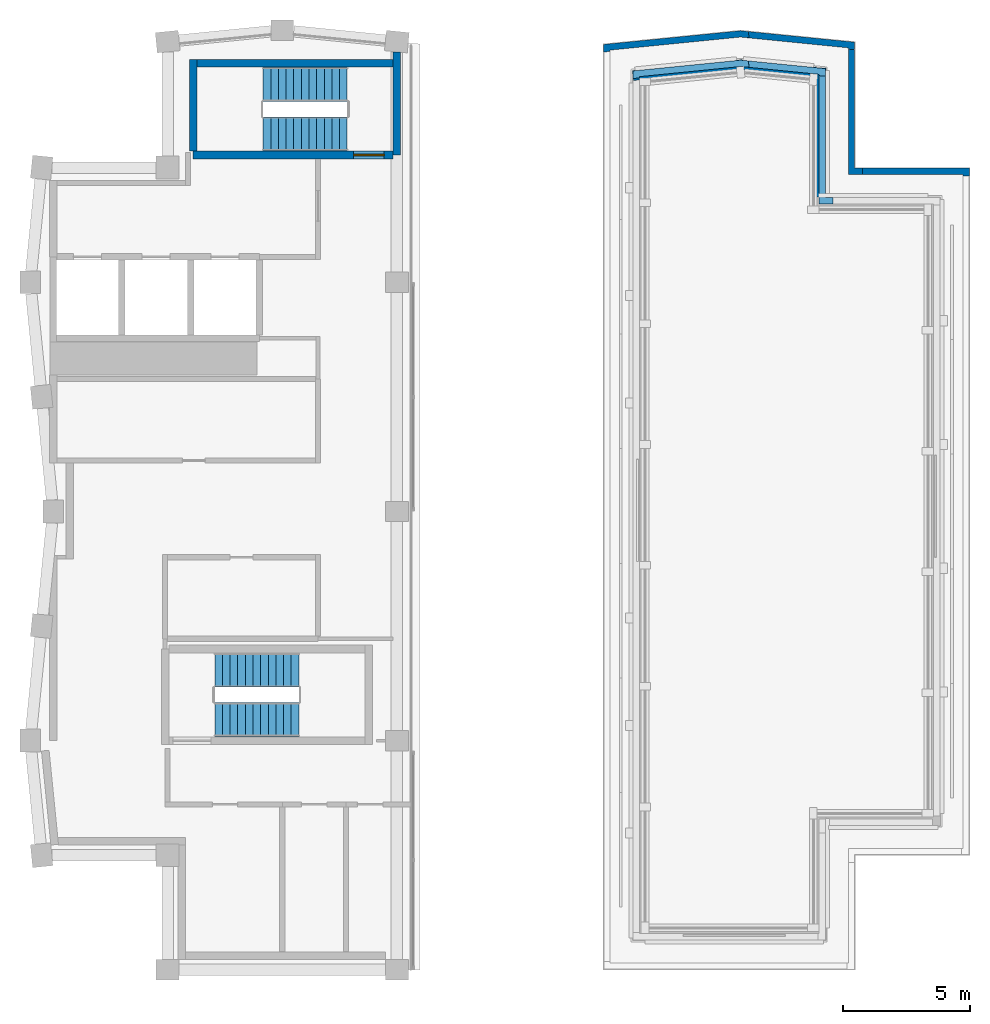
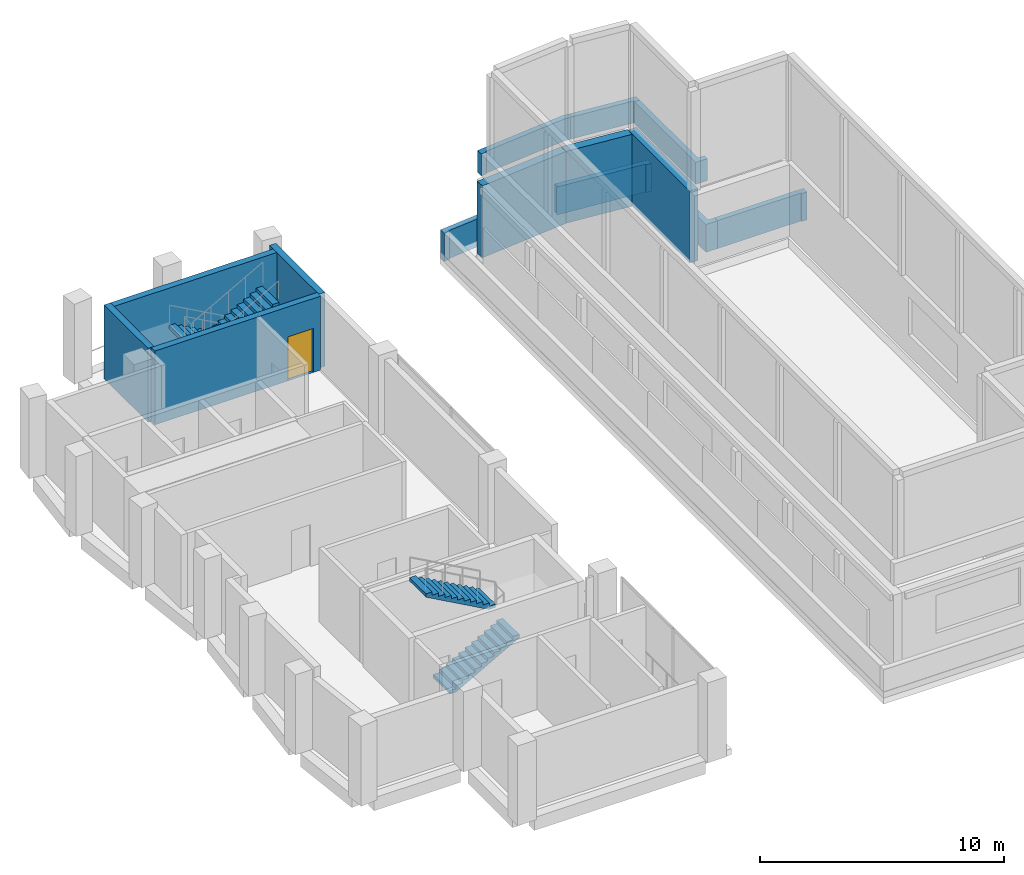
# One storey, part 6 of 8: 14 walls, 4 stair flights, 1 door, 1 opening, 2 elements without a shape of their own.
"""IFC4 building model written with IfcOpenShell, lengths in metres."""

from ifc_helpers import new_model, si_unit, direction, frame, frame_2d, origin, place, context, subcontext, project, spatial, polyline, rectangle, outline, extrude, material, layer, layer_set, type_object, element, fill, aggregate, save


model = new_model("IFC4")

# Units and contexts
model_context = context("Model", 3, precision=1e-05, world=origin(), true_north=direction((0.0, 1.0)))
body_context = subcontext(model_context, "Body", "Model", "MODEL_VIEW")
ifc_project = project(units=[si_unit("LENGTHUNIT", "METRE"), si_unit("AREAUNIT", "SQUARE_METRE"), si_unit("VOLUMEUNIT", "CUBIC_METRE"), si_unit("PLANEANGLEUNIT", "RADIAN"), si_unit("MASSUNIT", "GRAM", prefix="KILO")], contexts=[model_context])

# Site, building, storey
site_placement = place(None, origin())
site = spatial("IfcSite", under=ifc_project, at=site_placement, CompositionType="ELEMENT")
building_placement = place(site_placement, origin())
building = spatial("IfcBuilding", under=site, at=building_placement, Name="Brondeck Convention Tower", CompositionType="ELEMENT")
storey_placement = place(building_placement, frame((0.0, 0.0, 298.800048828125)))
storey = spatial("IfcBuildingStorey", under=building, at=storey_placement, Name="L74", CompositionType="ELEMENT", Elevation=298.800048828125)

# Walls
ifc_material_1 = material(Name="Precast concrete C50/60 bronze finish", Category="concrete")
ifc_layer_1 = layer(ifc_material_1, 0.39990234375)
ifc_layer_set_1 = layer_set([ifc_layer_1], Name="Crown tier wall, precast concrete C50/60")
wall_type_1 = type_object("IfcWallType", Name="Crown tier wall, precast concrete C50/60", PredefinedType="SOLIDWALL", material=ifc_layer_set_1)
wall_1_placement = place(storey_placement, frame((30.14990234375, 62.4091796875, 0.449951171875), z_axis=(0.0, 0.0, 1.0), x_axis=(0.0, -1.0, 0.0)))
element("IfcWall", 1, at=wall_1_placement, inside=storey, type_object=wall_type_1, Name="ENV-CT-K2-T1-W06", PredefinedType="SOLIDWALL", context=body_context, shape_type="SweptSolid", body=[
    extrude(rectangle(XDim=5.061279296875, YDim=0.39990234375, at=frame_2d((2.53076171875, 0.0))), origin(), (0.0, 0.0, 1.0), 3.60009765625),
])
wall_2_placement = place(storey_placement, frame((26.97998046875, 62.54541015625, 0.449951171875), z_axis=(0.0, 0.0, 1.0), x_axis=(0.99503313347, -0.099544278071, 0.0)))
element("IfcWall", 2, at=wall_2_placement, inside=storey, type_object=wall_type_1, Name="ENV-CT-K2-T1-W07", PredefinedType="SOLIDWALL", context=body_context, shape_type="SweptSolid", body=[
    extrude(rectangle(XDim=2.97998046875, YDim=0.39990234375, at=frame_2d((1.489990234375, 0.0))), origin(), (0.0, 0.0, 1.0), 3.60009765625),
])
wall_3_placement = place(storey_placement, frame((22.77001953125, 62.120361328125, 0.449951171875), z_axis=(0.0, 0.0, 1.0), x_axis=(0.995040061227, 0.099475004664, 0.0)))
element("IfcWall", 3, at=wall_3_placement, inside=storey, type_object=wall_type_1, Name="ENV-CT-K2-T1-W08", PredefinedType="SOLIDWALL", context=body_context, shape_type="SweptSolid", body=[
    extrude(rectangle(XDim=4.209228515625, YDim=0.39990234375, at=frame_2d((2.1044921875, 0.0))), origin(), (0.0, 0.0, 1.0), 3.60009765625),
])
ifc_material_2 = material(Name="Precast concrete C50/60", Category="concrete")
ifc_layer_2 = layer(ifc_material_2, 0.25)
ifc_layer_set_2 = layer_set([ifc_layer_2], Name="Roof parapet, precast concrete C50/60")
wall_type_2 = type_object("IfcWallType", Name="Roof parapet, precast concrete C50/60", PredefinedType="PARAPET", material=ifc_layer_set_2)
wall_4_placement = place(storey_placement, origin())
element("IfcWall", 4, at=wall_4_placement, inside=storey, type_object=wall_type_2, Name="ENV-ROOF-K2-PA-01", PredefinedType="PARAPET", context=body_context, shape_type="SweptSolid", body=[
    extrude(outline(polyline([(27.328369140625, 63.611083984375), (27.304443359375, 63.849365234375), (27.0, 63.8798828125), (21.6201171875, 63.341796875), (21.6201171875, 63.040283203125), (21.64990234375, 63.04345703125), (21.8701171875, 63.0654296875), (21.8701171875, 63.11572265625), (27.0, 63.628662109375), (27.251220703125, 63.603515625), (27.328369140625, 63.611083984375)])), origin(), (0.0, 0.0, 1.0), 1.39990234375),
])
wall_5_placement = place(storey_placement, origin())
element("IfcWall", 5, at=wall_5_placement, inside=storey, type_object=wall_type_2, Name="ENV-ROOF-K2-PA-02", PredefinedType="PARAPET", context=body_context, shape_type="SweptSolid", body=[
    extrude(outline(polyline([(31.22998046875, 63.205810546875), (31.22998046875, 63.155517578125), (31.47998046875, 63.13037109375), (31.47998046875, 63.431884765625), (27.3056640625, 63.849365234375), (27.329345703125, 63.611328125), (27.329345703125, 63.611083984375), (27.329345703125, 63.611083984375), (27.329345703125, 63.611083984375), (27.329345703125, 63.611083984375), (27.329345703125, 63.61083984375), (27.3291015625, 63.61083984375), (27.3291015625, 63.610595703125), (27.3291015625, 63.610595703125), (27.3291015625, 63.610595703125), (27.3291015625, 63.610595703125), (27.328857421875, 63.6103515625), (27.328857421875, 63.6103515625), (27.32861328125, 63.6103515625), (27.32861328125, 63.6103515625), (27.32861328125, 63.6103515625), (27.32861328125, 63.610107421875), (27.25634765625, 63.60302734375), (31.22998046875, 63.205810546875)])), origin(), (0.0, 0.0, 1.0), 1.39990234375),
])
wall_6_placement = place(storey_placement, origin())
element("IfcWall", 6, at=wall_6_placement, inside=storey, type_object=wall_type_2, Name="ENV-ROOF-K2-PA-03", PredefinedType="PARAPET", context=body_context, shape_type="SweptSolid", body=[
    extrude(outline(polyline([(31.22998046875, 58.22998046875), (31.780029296875, 58.22998046875), (31.780029296875, 58.47998046875), (31.47998046875, 58.47998046875), (31.47998046875, 63.12939453125), (31.47998046875, 63.12939453125), (31.47998046875, 63.12939453125), (31.22998046875, 63.154296875), (31.22998046875, 58.22998046875)])), origin(), (0.0, 0.0, 1.0), 1.39990234375),
])
wall_7_placement = place(storey_placement, origin())
element("IfcWall", 7, at=wall_7_placement, inside=storey, type_object=wall_type_2, Name="ENV-ROOF-K2-PA-04", PredefinedType="PARAPET", context=body_context, shape_type="SweptSolid", body=[
    extrude(outline(polyline([(35.72998046875, 58.22998046875), (35.72998046875, 58.179931640625), (35.97998046875, 58.179931640625), (35.97998046875, 58.47998046875), (31.781005859375, 58.47998046875), (31.781005859375, 58.22998046875), (35.72998046875, 58.22998046875)])), origin(), (0.0, 0.0, 1.0), 1.39990234375),
])
wall_8_placement = place(storey_placement, frame((0.0, 0.0, 4.5)))
element("IfcWall", 8, at=wall_8_placement, inside=storey, type_object=wall_type_2, Name="ENV-CT-K2-T1-PA01", PredefinedType="PARAPET", context=body_context, shape_type="SweptSolid", body=[
    extrude(outline(polyline([(27.328369140625, 62.45556640625), (27.304443359375, 62.693603515625), (27.0, 62.72412109375), (22.77001953125, 62.30126953125), (22.77001953125, 61.999755859375), (22.7998046875, 62.002685546875), (23.02001953125, 62.024658203125), (23.02001953125, 62.074951171875), (27.0, 62.472900390625), (27.251220703125, 62.44775390625), (27.328369140625, 62.45556640625)])), origin(), (0.0, 0.0, 1.0), 1.099853515625),
])
wall_9_placement = place(storey_placement, frame((0.0, 0.0, 4.5)))
element("IfcWall", 9, at=wall_9_placement, inside=storey, type_object=wall_type_2, Name="ENV-CT-K2-T1-PA02", PredefinedType="PARAPET", context=body_context, shape_type="SweptSolid", body=[
    extrude(outline(polyline([(30.080078125, 62.164794921875), (30.080078125, 62.11474609375), (30.330078125, 62.089599609375), (30.330078125, 62.39111328125), (27.3056640625, 62.693603515625), (27.329345703125, 62.45556640625), (27.329345703125, 62.45556640625), (27.329345703125, 62.455322265625), (27.329345703125, 62.455322265625), (27.329345703125, 62.455078125), (27.329345703125, 62.455078125), (27.3291015625, 62.455078125), (27.3291015625, 62.455078125), (27.3291015625, 62.454833984375), (27.3291015625, 62.454833984375), (27.3291015625, 62.45458984375), (27.328857421875, 62.45458984375), (27.328857421875, 62.45458984375), (27.32861328125, 62.45458984375), (27.32861328125, 62.45458984375), (27.32861328125, 62.45458984375), (27.32861328125, 62.45458984375), (27.25634765625, 62.447265625), (30.080078125, 62.164794921875)])), origin(), (0.0, 0.0, 1.0), 1.099853515625),
])
wall_10_placement = place(storey_placement, frame((0.0, 0.0, 4.5)))
element("IfcWall", 10, at=wall_10_placement, inside=storey, type_object=wall_type_2, Name="ENV-CT-K2-T1-PA03", PredefinedType="PARAPET", context=body_context, shape_type="SweptSolid", body=[
    extrude(outline(polyline([(30.080078125, 57.080078125), (30.6298828125, 57.080078125), (30.6298828125, 57.330078125), (30.330078125, 57.330078125), (30.330078125, 62.088623046875), (30.330078125, 62.088623046875), (30.329833984375, 62.088623046875), (30.080078125, 62.11376953125), (30.080078125, 57.080078125)])), origin(), (0.0, 0.0, 1.0), 1.099853515625),
])

# Wall, opening, door
ifc_material_3 = material(Name="Concrete C50/60", Category="concrete")
ifc_layer_3 = layer(ifc_material_3, 0.300048828125)
ifc_layer_set_3 = layer_set([ifc_layer_3], Name="Stair enclosure wall 300 Concrete C50/60")
wall_type_3 = type_object("IfcWallType", Name="Stair enclosure wall 300 Concrete C50/60", PredefinedType="SHEAR", material=ifc_layer_set_3)
wall_11_placement = place(storey_placement, frame((5.5, 59.0, 0.0), z_axis=(0.0, 0.0, 1.0), x_axis=(1.0, 0.0, 0.0)))
wall_11 = element("IfcWall", 11, at=wall_11_placement, inside=storey, type_object=wall_type_3, Name="L74 core wall", PredefinedType="SHEAR", context=body_context, shape_type="SweptSolid", body=[
    extrude(rectangle(XDim=7.85009765625, YDim=0.300048828125, at=frame_2d((3.925048828125, 0.0))), origin(), (0.0, 0.0, 1.0), 3.699951171875),
])
opening_placement = place(wall_11_placement, frame((6.300048828125, 0.0, 0.0)))
opening = element("IfcOpeningElement", 12, at=opening_placement, cuts=wall_11, Name="Opening C43-05", PredefinedType="OPENING", context=body_context, shape_type="SweptSolid", body=[
    extrude(rectangle(XDim=1.199951171875, YDim=2.199951171875, at=frame_2d((0.60009765625, 1.10009765625))), frame((0.0, 0.159912109375, 0.0), z_axis=(0.0, -1.0, 0.0), x_axis=(1.0, 0.0, 0.0)), (0.0, 0.0, 1.0), 0.320068359375),
])
ifc_material_4 = material(Name="Steel fire door", Category="steel")
door_type = type_object("IfcDoorType", Name="Stair door 1200x2200 EI 120", OperationType="NOTDEFINED", PredefinedType="DOOR", material=ifc_material_4)
door_placement = place(opening_placement, origin())
door = element("IfcDoor", 13, at=door_placement, inside=storey, type_object=door_type, Name="L74 Stair door ST-3", OperationType="SINGLE_SWING_RIGHT", OverallHeight=2.199951171875, OverallWidth=1.199951171875, PredefinedType="DOOR", context=body_context, shape_type="SweptSolid", body=[
    extrude(rectangle(XDim=1.199951171875, YDim=2.199951171875, at=frame_2d((0.60009765625, 1.10009765625))), frame((0.0, 0.02490234375, 0.0), z_axis=(0.0, -1.0, 0.0), x_axis=(1.0, 0.0, 0.0)), (0.0, 0.0, 1.0), 0.050048828125),
])
fill(opening, door)

# Walls
wall_12_placement = place(storey_placement, frame((5.64990234375, 62.60009765625, 0.0), z_axis=(0.0, 0.0, 1.0), x_axis=(1.0, 0.0, 0.0)))
element("IfcWall", 14, at=wall_12_placement, inside=storey, type_object=wall_type_3, Name="L74 core wall", PredefinedType="SHEAR", context=body_context, shape_type="SweptSolid", body=[
    extrude(rectangle(XDim=7.7001953125, YDim=0.300048828125, at=frame_2d((3.85009765625, 0.0))), origin(), (0.0, 0.0, 1.0), 3.699951171875),
])
wall_13_placement = place(storey_placement, frame((5.5, 59.14990234375, 0.0), z_axis=(0.0, 0.0, 1.0), x_axis=(0.0, 1.0, 0.0)))
element("IfcWall", 15, at=wall_13_placement, inside=storey, type_object=wall_type_3, Name="L74 core wall", PredefinedType="SHEAR", context=body_context, shape_type="SweptSolid", body=[
    extrude(rectangle(XDim=3.60009765625, YDim=0.300048828125, at=frame_2d((1.800048828125, 0.0))), origin(), (0.0, 0.0, 1.0), 3.699951171875),
])
wall_14_placement = place(storey_placement, frame((13.5, 59.0, 0.0), z_axis=(0.0, 0.0, 1.0), x_axis=(0.0, 1.0, 0.0)))
element("IfcWall", 16, at=wall_14_placement, inside=storey, type_object=wall_type_3, Name="L74 core wall", PredefinedType="SHEAR", context=body_context, shape_type="SweptSolid", body=[
    extrude(rectangle(XDim=4.048095703125, YDim=0.300048828125, at=frame_2d((2.02392578125, 0.0))), origin(), (0.0, 0.0, 1.0), 3.699951171875),
])

# Stair, stair flights
stair_type = type_object("IfcStairType", Name="Core stair 24 risers 166.67 mm riser 300 mm going 1350 wide", PredefinedType="HALF_TURN_STAIR", material=ifc_material_2)
stair_1_placement = place(storey_placement, origin())
stair_1 = element("IfcStair", 17, at=stair_1_placement, inside=storey, type_object=stair_type, Name="ST-1 L74 stair", PredefinedType="HALF_TURN_STAIR")
stair_flight_type = type_object("IfcStairFlightType", Name="Core stair flight 24 risers 166.67 mm riser 300 mm going 1350 wide", PredefinedType="STRAIGHT", material=ifc_material_2)
stair_flight_1_placement = place(storey_placement, frame((6.35009765625, 36.824951171875, 0.0), z_axis=(0.0, 0.0, 1.0), x_axis=(1.0, 0.0, 0.0)))
stair_flight_1 = element("IfcStairFlight", 18, at=stair_flight_1_placement, type_object=stair_flight_type, Name="ST-1 flight 1", NumberOfRisers=12, NumberOfTreads=11, PredefinedType="STRAIGHT", RiserHeight=0.166666667, TreadLength=0.3, context=body_context, shape_type="SweptSolid", body=[
    extrude(outline(polyline([(0.0, 0.0), (0.0, 0.166748046875), (0.300048828125, 0.166748046875), (0.300048828125, 0.333251953125), (0.60009765625, 0.333251953125), (0.60009765625, 0.5), (0.89990234375, 0.5), (0.89990234375, 0.666748046875), (1.199951171875, 0.666748046875), (1.199951171875, 0.833251953125), (1.5, 0.833251953125), (1.5, 1.0), (1.800048828125, 1.0), (1.800048828125, 1.166748046875), (2.10009765625, 1.166748046875), (2.10009765625, 1.333251953125), (2.39990234375, 1.333251953125), (2.39990234375, 1.5), (2.699951171875, 1.5), (2.699951171875, 1.666748046875), (3.0, 1.666748046875), (3.0, 1.833251953125), (3.300048828125, 1.833251953125), (3.300048828125, 2.0), (3.300048828125, 1.661865234375), (0.30859375, 0.0), (0.0, 0.0)])), frame((0.0, 0.675048828125, 0.0), z_axis=(0.0, -1.0, 0.0), x_axis=(1.0, 0.0, 0.0)), (0.0, 0.0, 1.0), 1.35009765625),
])
stair_flight_2_placement = place(storey_placement, frame((9.64990234375, 38.77490234375, 2.0), z_axis=(0.0, 0.0, 1.0), x_axis=(-1.0, 0.0, 0.0)))
stair_flight_2 = element("IfcStairFlight", 19, at=stair_flight_2_placement, type_object=stair_flight_type, Name="ST-1 flight 2", NumberOfRisers=12, NumberOfTreads=11, PredefinedType="STRAIGHT", RiserHeight=0.166666667, TreadLength=0.3, context=body_context, shape_type="SweptSolid", body=[
    extrude(outline(polyline([(0.0, 0.0), (0.0, 0.166748046875), (0.300048828125, 0.166748046875), (0.300048828125, 0.333251953125), (0.60009765625, 0.333251953125), (0.60009765625, 0.5), (0.89990234375, 0.5), (0.89990234375, 0.666748046875), (1.199951171875, 0.666748046875), (1.199951171875, 0.833251953125), (1.5, 0.833251953125), (1.5, 1.0), (1.800048828125, 1.0), (1.800048828125, 1.166748046875), (2.10009765625, 1.166748046875), (2.10009765625, 1.333251953125), (2.39990234375, 1.333251953125), (2.39990234375, 1.5), (2.699951171875, 1.5), (2.699951171875, 1.666748046875), (3.0, 1.666748046875), (3.0, 1.833251953125), (3.300048828125, 1.833251953125), (3.300048828125, 2.0), (3.300048828125, 1.661865234375), (0.30859375, 0.0), (0.0, 0.0)])), frame((0.0, 0.675048828125, 0.0), z_axis=(0.0, -1.0, 0.0), x_axis=(1.0, 0.0, 0.0)), (0.0, 0.0, 1.0), 1.35009765625),
])
aggregate(stair_1, [stair_flight_1, stair_flight_2])

stair_2_placement = place(storey_placement, origin())
stair_2 = element("IfcStair", 20, at=stair_2_placement, inside=storey, type_object=stair_type, Name="ST-3 L74 stair", PredefinedType="HALF_TURN_STAIR")
stair_flight_3_placement = place(storey_placement, frame((11.550048828125, 61.77490234375, 0.0), z_axis=(0.0, 0.0, 1.0), x_axis=(-1.0, 0.0, 0.0)))
stair_flight_3 = element("IfcStairFlight", 21, at=stair_flight_3_placement, type_object=stair_flight_type, Name="ST-3 flight 1", NumberOfRisers=12, NumberOfTreads=11, PredefinedType="STRAIGHT", RiserHeight=0.166666667, TreadLength=0.3, context=body_context, shape_type="SweptSolid", body=[
    extrude(outline(polyline([(0.0, 0.0), (0.0, 0.166748046875), (0.300048828125, 0.166748046875), (0.300048828125, 0.333251953125), (0.60009765625, 0.333251953125), (0.60009765625, 0.5), (0.89990234375, 0.5), (0.89990234375, 0.666748046875), (1.199951171875, 0.666748046875), (1.199951171875, 0.833251953125), (1.5, 0.833251953125), (1.5, 1.0), (1.800048828125, 1.0), (1.800048828125, 1.166748046875), (2.10009765625, 1.166748046875), (2.10009765625, 1.333251953125), (2.39990234375, 1.333251953125), (2.39990234375, 1.5), (2.699951171875, 1.5), (2.699951171875, 1.666748046875), (3.0, 1.666748046875), (3.0, 1.833251953125), (3.300048828125, 1.833251953125), (3.300048828125, 2.0), (3.300048828125, 1.661865234375), (0.30859375, 0.0), (0.0, 0.0)])), frame((0.0, 0.675048828125, 0.0), z_axis=(0.0, -1.0, 0.0), x_axis=(1.0, 0.0, 0.0)), (0.0, 0.0, 1.0), 1.35009765625),
])
stair_flight_4_placement = place(storey_placement, frame((8.25, 59.824951171875, 2.0), z_axis=(0.0, 0.0, 1.0), x_axis=(1.0, 0.0, 0.0)))
stair_flight_4 = element("IfcStairFlight", 22, at=stair_flight_4_placement, type_object=stair_flight_type, Name="ST-3 flight 2", NumberOfRisers=12, NumberOfTreads=11, PredefinedType="STRAIGHT", RiserHeight=0.166666667, TreadLength=0.3, context=body_context, shape_type="SweptSolid", body=[
    extrude(outline(polyline([(0.0, 0.0), (0.0, 0.166748046875), (0.300048828125, 0.166748046875), (0.300048828125, 0.333251953125), (0.60009765625, 0.333251953125), (0.60009765625, 0.5), (0.89990234375, 0.5), (0.89990234375, 0.666748046875), (1.199951171875, 0.666748046875), (1.199951171875, 0.833251953125), (1.5, 0.833251953125), (1.5, 1.0), (1.800048828125, 1.0), (1.800048828125, 1.166748046875), (2.10009765625, 1.166748046875), (2.10009765625, 1.333251953125), (2.39990234375, 1.333251953125), (2.39990234375, 1.5), (2.699951171875, 1.5), (2.699951171875, 1.666748046875), (3.0, 1.666748046875), (3.0, 1.833251953125), (3.300048828125, 1.833251953125), (3.300048828125, 2.0), (3.300048828125, 1.661865234375), (0.30859375, 0.0), (0.0, 0.0)])), frame((0.0, 0.675048828125, 0.0), z_axis=(0.0, -1.0, 0.0), x_axis=(1.0, 0.0, 0.0)), (0.0, 0.0, 1.0), 1.35009765625),
])
aggregate(stair_2, [stair_flight_3, stair_flight_4])

save(model, "model.ifc")
